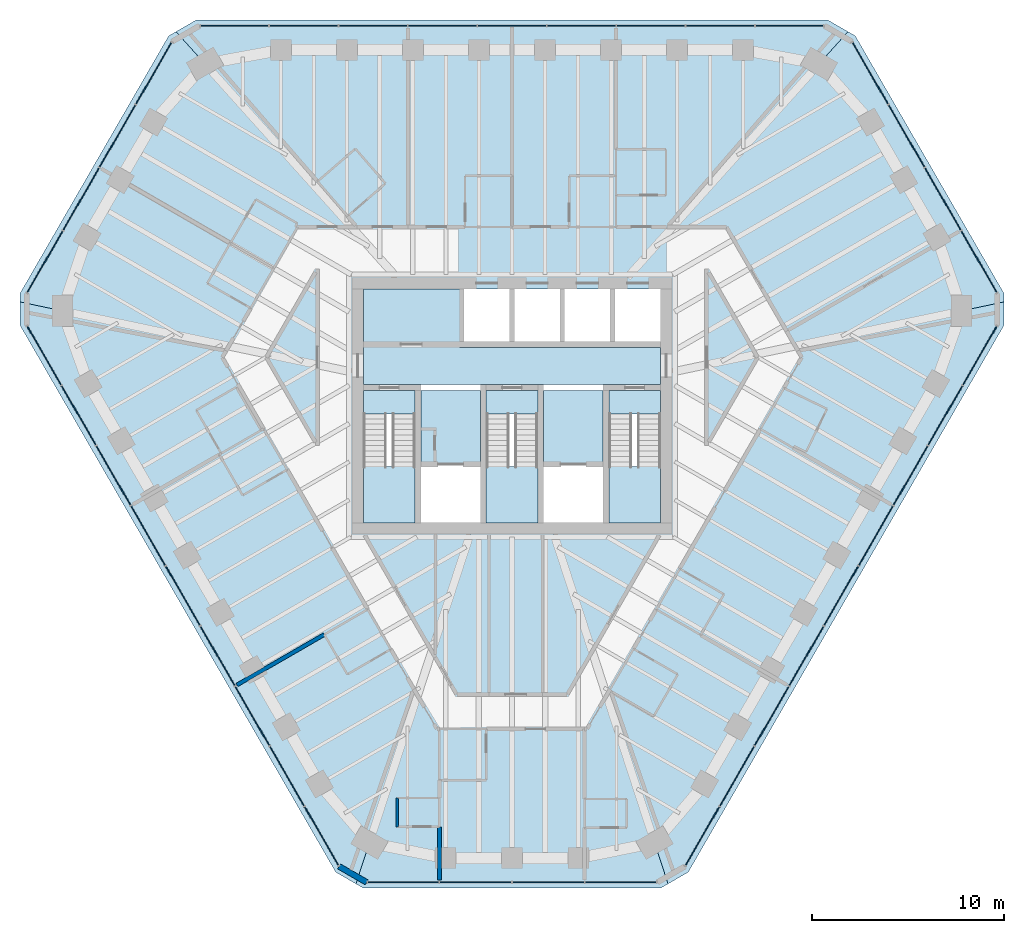
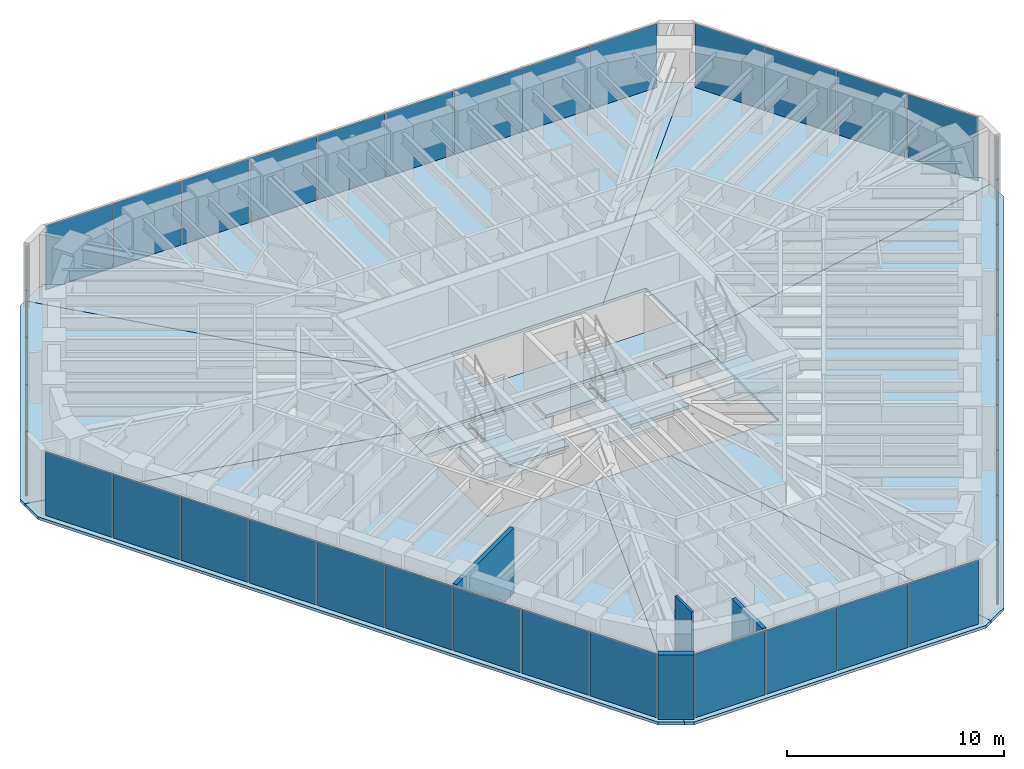
# One storey, part 8 of 14: 39 plates, 15 slabs, 4 walls, 9 elements without a shape of their own.
"""IFC4 building model written with IfcOpenShell, lengths in metres."""

from ifc_helpers import new_model, si_unit, direction, frame, frame_2d, origin, origin_2d, place, context, subcontext, project, spatial, polyline, rectangle, outline, extrude, material, layer, layer_set, type_object, element, aggregate, save


model = new_model("IFC4")

# Units and contexts
model_context = context("Model", 3, precision=1e-05, world=origin(), true_north=direction((0.0, 1.0)))
body_context = subcontext(model_context, "Body", "Model", "MODEL_VIEW")
ifc_project = project(units=[si_unit("LENGTHUNIT", "METRE"), si_unit("AREAUNIT", "SQUARE_METRE"), si_unit("VOLUMEUNIT", "CUBIC_METRE"), si_unit("PLANEANGLEUNIT", "RADIAN"), si_unit("MASSUNIT", "GRAM", prefix="KILO")], contexts=[model_context])

# Site, building, storey
site_placement = place(None, origin())
site = spatial("IfcSite", under=ifc_project, at=site_placement, CompositionType="ELEMENT")
building_placement = place(site_placement, origin())
building = spatial("IfcBuilding", under=site, at=building_placement, Name="Sandreach Pilgrim Tower", CompositionType="ELEMENT")
storey_placement = place(building_placement, frame((0.0, 0.0, 291.199951171875)))
storey = spatial("IfcBuildingStorey", under=building, at=storey_placement, Name="L73", CompositionType="ELEMENT", Elevation=291.199951171875)

# Curtain wall, plates
ifc_material_1 = material(Name="Aluminium framed curtain wall", Category="aluminium")
curtain_wall_type = type_object("IfcCurtainWallType", Name="Suite tower curtain wall", PredefinedType="NOTDEFINED", material=ifc_material_1)
curtain_wall_1_placement = place(storey_placement, origin())
curtain_wall_1 = element("IfcCurtainWall", 1, at=curtain_wall_1_placement, inside=storey, type_object=curtain_wall_type, Name="CW-4 L73 N", PredefinedType="NOTDEFINED")
ifc_material_2 = material(Name="Insulating glass unit 16.76 laminated + 24 argon + 16.76 laminated", Category="glass")
ifc_layer_1 = layer(ifc_material_2, 0.05810546875)
ifc_layer_set_1 = layer_set([ifc_layer_1], Name="CW-4 panel")
plate_type = type_object("IfcPlateType", Name="CW-4 panel", PredefinedType="CURTAIN_PANEL", material=ifc_layer_set_1)
plate_1_placement = place(storey_placement, frame((-14.472412109375, 19.826416015625, 0.0), z_axis=(0.0, 0.0, 1.0), x_axis=(1.0, 0.0, 0.0)))
plate_1 = element("IfcPlate", 2, at=plate_1_placement, type_object=plate_type, Name="CW-4 panel 1", PredefinedType="CURTAIN_PANEL", context=body_context, shape_type="SweptSolid", body=[
    extrude(rectangle(XDim=3.531982421875, YDim=0.05810546875, at=origin_2d()), origin(), (0.0, 0.0, 1.0), 3.570068359375),
])
plate_2_placement = place(storey_placement, frame((-10.865478515625, 19.826416015625, 0.0), z_axis=(0.0, 0.0, 1.0), x_axis=(1.0, 0.0, 0.0)))
plate_2 = element("IfcPlate", 3, at=plate_2_placement, type_object=plate_type, Name="CW-4 panel 2", PredefinedType="CURTAIN_PANEL", context=body_context, shape_type="SweptSolid", body=[
    extrude(rectangle(XDim=3.561767578125, YDim=0.05810546875, at=origin_2d()), origin(), (0.0, 0.0, 1.0), 3.570068359375),
])
plate_3_placement = place(storey_placement, frame((-7.24365234375, 19.826416015625, 0.0), z_axis=(0.0, 0.0, 1.0), x_axis=(1.0, 0.0, 0.0)))
plate_3 = element("IfcPlate", 4, at=plate_3_placement, type_object=plate_type, Name="CW-4 panel 3", PredefinedType="CURTAIN_PANEL", context=body_context, shape_type="SweptSolid", body=[
    extrude(rectangle(XDim=3.561767578125, YDim=0.05810546875, at=origin_2d()), origin(), (0.0, 0.0, 1.0), 3.570068359375),
])
plate_4_placement = place(storey_placement, frame((-3.621826171875, 19.826416015625, 0.0), z_axis=(0.0, 0.0, 1.0), x_axis=(1.0, 0.0, 0.0)))
plate_4 = element("IfcPlate", 5, at=plate_4_placement, type_object=plate_type, Name="CW-4 panel 4", PredefinedType="CURTAIN_PANEL", context=body_context, shape_type="SweptSolid", body=[
    extrude(rectangle(XDim=3.561767578125, YDim=0.05810546875, at=origin_2d()), origin(), (0.0, 0.0, 1.0), 3.570068359375),
])
plate_5_placement = place(storey_placement, frame((0.0, 19.826416015625, 0.0), z_axis=(0.0, 0.0, 1.0), x_axis=(1.0, 0.0, 0.0)))
plate_5 = element("IfcPlate", 6, at=plate_5_placement, type_object=plate_type, Name="CW-4 panel 5", PredefinedType="CURTAIN_PANEL", context=body_context, shape_type="SweptSolid", body=[
    extrude(rectangle(XDim=3.561767578125, YDim=0.05810546875, at=origin_2d()), origin(), (0.0, 0.0, 1.0), 3.570068359375),
])
plate_6_placement = place(storey_placement, frame((3.621826171875, 19.826416015625, 0.0), z_axis=(0.0, 0.0, 1.0), x_axis=(1.0, 0.0, 0.0)))
plate_6 = element("IfcPlate", 7, at=plate_6_placement, type_object=plate_type, Name="CW-4 panel 6", PredefinedType="CURTAIN_PANEL", context=body_context, shape_type="SweptSolid", body=[
    extrude(rectangle(XDim=3.561767578125, YDim=0.05810546875, at=origin_2d()), origin(), (0.0, 0.0, 1.0), 3.570068359375),
])
plate_7_placement = place(storey_placement, frame((7.24365234375, 19.826416015625, 0.0), z_axis=(0.0, 0.0, 1.0), x_axis=(1.0, 0.0, 0.0)))
plate_7 = element("IfcPlate", 8, at=plate_7_placement, type_object=plate_type, Name="CW-4 panel 7", PredefinedType="CURTAIN_PANEL", context=body_context, shape_type="SweptSolid", body=[
    extrude(rectangle(XDim=3.561767578125, YDim=0.05810546875, at=origin_2d()), origin(), (0.0, 0.0, 1.0), 3.570068359375),
])
plate_8_placement = place(storey_placement, frame((10.865478515625, 19.826416015625, 0.0), z_axis=(0.0, 0.0, 1.0), x_axis=(1.0, 0.0, 0.0)))
plate_8 = element("IfcPlate", 9, at=plate_8_placement, type_object=plate_type, Name="CW-4 panel 8", PredefinedType="CURTAIN_PANEL", context=body_context, shape_type="SweptSolid", body=[
    extrude(rectangle(XDim=3.561767578125, YDim=0.05810546875, at=origin_2d()), origin(), (0.0, 0.0, 1.0), 3.570068359375),
])
plate_9_placement = place(storey_placement, frame((14.472412109375, 19.826416015625, 0.0), z_axis=(0.0, 0.0, 1.0), x_axis=(1.0, 0.0, 0.0)))
plate_9 = element("IfcPlate", 10, at=plate_9_placement, type_object=plate_type, Name="CW-4 panel 9", PredefinedType="CURTAIN_PANEL", context=body_context, shape_type="SweptSolid", body=[
    extrude(rectangle(XDim=3.531982421875, YDim=0.05810546875, at=origin_2d()), origin(), (0.0, 0.0, 1.0), 3.570068359375),
])
aggregate(curtain_wall_1, [plate_1, plate_2, plate_3, plate_4, plate_5, plate_6, plate_7, plate_8, plate_9])

curtain_wall_2_placement = place(storey_placement, origin())
curtain_wall_2 = element("IfcCurtainWall", 11, at=curtain_wall_2_placement, inside=storey, type_object=curtain_wall_type, Name="CW-4 L73 NE", PredefinedType="NOTDEFINED")
plate_10_placement = place(storey_placement, frame((18.69140625, 17.341552734375, 0.0), z_axis=(0.0, 0.0, 1.0), x_axis=(0.5, -0.866025403784, 0.0)))
plate_10 = element("IfcPlate", 12, at=plate_10_placement, type_object=plate_type, Name="CW-4 panel 1", PredefinedType="CURTAIN_PANEL", context=body_context, shape_type="SweptSolid", body=[
    extrude(rectangle(XDim=3.70166015625, YDim=0.05810546875, at=origin_2d()), origin(), (0.0, 0.0, 1.0), 3.570068359375),
])
plate_11_placement = place(storey_placement, frame((20.579833984375, 14.07080078125, 0.0), z_axis=(0.0, 0.0, 1.0), x_axis=(0.5, -0.866025403784, 0.0)))
plate_11 = element("IfcPlate", 13, at=plate_11_placement, type_object=plate_type, Name="CW-4 panel 2", PredefinedType="CURTAIN_PANEL", context=body_context, shape_type="SweptSolid", body=[
    extrude(rectangle(XDim=3.731689453125, YDim=0.05810546875, at=origin_2d()), origin(), (0.0, 0.0, 1.0), 3.570068359375),
])
plate_12_placement = place(storey_placement, frame((22.4755859375, 10.787109375, 0.0), z_axis=(0.0, 0.0, 1.0), x_axis=(0.5, -0.866025403784, 0.0)))
plate_12 = element("IfcPlate", 14, at=plate_12_placement, type_object=plate_type, Name="CW-4 panel 3", PredefinedType="CURTAIN_PANEL", context=body_context, shape_type="SweptSolid", body=[
    extrude(rectangle(XDim=3.731689453125, YDim=0.05810546875, at=origin_2d()), origin(), (0.0, 0.0, 1.0), 3.570068359375),
])
plate_13_placement = place(storey_placement, frame((24.364013671875, 7.516357421875, 0.0), z_axis=(0.0, 0.0, 1.0), x_axis=(0.5, -0.866025403784, 0.0)))
plate_13 = element("IfcPlate", 15, at=plate_13_placement, type_object=plate_type, Name="CW-4 panel 4", PredefinedType="CURTAIN_PANEL", context=body_context, shape_type="SweptSolid", body=[
    extrude(rectangle(XDim=3.70166015625, YDim=0.05810546875, at=origin_2d()), origin(), (0.0, 0.0, 1.0), 3.570068359375),
])
aggregate(curtain_wall_2, [plate_10, plate_11, plate_12, plate_13])

curtain_wall_3_placement = place(storey_placement, origin())
curtain_wall_3 = element("IfcCurtainWall", 16, at=curtain_wall_3_placement, inside=storey, type_object=curtain_wall_type, Name="CW-4 L73 SE", PredefinedType="NOTDEFINED")
plate_14_placement = place(storey_placement, frame((24.406494140625, 2.620361328125, 0.0), z_axis=(0.0, 0.0, 1.0), x_axis=(-0.5, -0.866025403784, 0.0)))
plate_14 = element("IfcPlate", 17, at=plate_14_placement, type_object=plate_type, Name="CW-4 panel 1", PredefinedType="CURTAIN_PANEL", context=body_context, shape_type="SweptSolid", body=[
    extrude(rectangle(XDim=3.531982421875, YDim=0.05810546875, at=origin_2d()), origin(), (0.0, 0.0, 1.0), 3.570068359375),
])
plate_15_placement = place(storey_placement, frame((22.60302734375, -0.50341796875, 0.0), z_axis=(0.0, 0.0, 1.0), x_axis=(-0.5, -0.866025403784, 0.0)))
plate_15 = element("IfcPlate", 18, at=plate_15_placement, type_object=plate_type, Name="CW-4 panel 2", PredefinedType="CURTAIN_PANEL", context=body_context, shape_type="SweptSolid", body=[
    extrude(rectangle(XDim=3.561767578125, YDim=0.05810546875, at=origin_2d()), origin(), (0.0, 0.0, 1.0), 3.570068359375),
])
plate_16_placement = place(storey_placement, frame((20.7919921875, -3.639892578125, 0.0), z_axis=(0.0, 0.0, 1.0), x_axis=(-0.5, -0.866025403784, 0.0)))
plate_16 = element("IfcPlate", 19, at=plate_16_placement, type_object=plate_type, Name="CW-4 panel 3", PredefinedType="CURTAIN_PANEL", context=body_context, shape_type="SweptSolid", body=[
    extrude(rectangle(XDim=3.561767578125, YDim=0.05810546875, at=origin_2d()), origin(), (0.0, 0.0, 1.0), 3.570068359375),
])
plate_17_placement = place(storey_placement, frame((18.981201171875, -6.776611328125, 0.0), z_axis=(0.0, 0.0, 1.0), x_axis=(-0.5, -0.866025403784, 0.0)))
plate_17 = element("IfcPlate", 20, at=plate_17_placement, type_object=plate_type, Name="CW-4 panel 4", PredefinedType="CURTAIN_PANEL", context=body_context, shape_type="SweptSolid", body=[
    extrude(rectangle(XDim=3.561767578125, YDim=0.05810546875, at=origin_2d()), origin(), (0.0, 0.0, 1.0), 3.570068359375),
])
plate_18_placement = place(storey_placement, frame((17.170166015625, -9.913330078125, 0.0), z_axis=(0.0, 0.0, 1.0), x_axis=(-0.5, -0.866025403784, 0.0)))
plate_18 = element("IfcPlate", 21, at=plate_18_placement, type_object=plate_type, Name="CW-4 panel 5", PredefinedType="CURTAIN_PANEL", context=body_context, shape_type="SweptSolid", body=[
    extrude(rectangle(XDim=3.561767578125, YDim=0.05810546875, at=origin_2d()), origin(), (0.0, 0.0, 1.0), 3.570068359375),
])
plate_19_placement = place(storey_placement, frame((15.359375, -13.0498046875, 0.0), z_axis=(0.0, 0.0, 1.0), x_axis=(-0.5, -0.866025403784, 0.0)))
plate_19 = element("IfcPlate", 22, at=plate_19_placement, type_object=plate_type, Name="CW-4 panel 6", PredefinedType="CURTAIN_PANEL", context=body_context, shape_type="SweptSolid", body=[
    extrude(rectangle(XDim=3.561767578125, YDim=0.05810546875, at=origin_2d()), origin(), (0.0, 0.0, 1.0), 3.570068359375),
])
plate_20_placement = place(storey_placement, frame((13.54833984375, -16.1865234375, 0.0), z_axis=(0.0, 0.0, 1.0), x_axis=(-0.5, -0.866025403784, 0.0)))
plate_20 = element("IfcPlate", 23, at=plate_20_placement, type_object=plate_type, Name="CW-4 panel 7", PredefinedType="CURTAIN_PANEL", context=body_context, shape_type="SweptSolid", body=[
    extrude(rectangle(XDim=3.561767578125, YDim=0.05810546875, at=origin_2d()), origin(), (0.0, 0.0, 1.0), 3.570068359375),
])
plate_21_placement = place(storey_placement, frame((11.7373046875, -19.322998046875, 0.0), z_axis=(0.0, 0.0, 1.0), x_axis=(-0.5, -0.866025403784, 0.0)))
plate_21 = element("IfcPlate", 24, at=plate_21_placement, type_object=plate_type, Name="CW-4 panel 8", PredefinedType="CURTAIN_PANEL", context=body_context, shape_type="SweptSolid", body=[
    extrude(rectangle(XDim=3.561767578125, YDim=0.05810546875, at=origin_2d()), origin(), (0.0, 0.0, 1.0), 3.570068359375),
])
plate_22_placement = place(storey_placement, frame((9.93408203125, -22.44677734375, 0.0), z_axis=(0.0, 0.0, 1.0), x_axis=(-0.5, -0.866025403784, 0.0)))
plate_22 = element("IfcPlate", 25, at=plate_22_placement, type_object=plate_type, Name="CW-4 panel 9", PredefinedType="CURTAIN_PANEL", context=body_context, shape_type="SweptSolid", body=[
    extrude(rectangle(XDim=3.531982421875, YDim=0.05810546875, at=origin_2d()), origin(), (0.0, 0.0, 1.0), 3.570068359375),
])
aggregate(curtain_wall_3, [plate_14, plate_15, plate_16, plate_17, plate_18, plate_19, plate_20, plate_21, plate_22])

curtain_wall_4_placement = place(storey_placement, origin())
curtain_wall_4 = element("IfcCurtainWall", 26, at=curtain_wall_4_placement, inside=storey, type_object=curtain_wall_type, Name="CW-4 L73 S", PredefinedType="NOTDEFINED")
plate_23_placement = place(storey_placement, frame((5.672607421875, -24.858154296875, 0.0), z_axis=(0.0, 0.0, 1.0), x_axis=(-1.0, 0.0, 0.0)))
plate_23 = element("IfcPlate", 27, at=plate_23_placement, type_object=plate_type, Name="CW-4 panel 1", PredefinedType="CURTAIN_PANEL", context=body_context, shape_type="SweptSolid", body=[
    extrude(rectangle(XDim=3.70166015625, YDim=0.05810546875, at=origin_2d()), origin(), (0.0, 0.0, 1.0), 3.570068359375),
])
plate_24_placement = place(storey_placement, frame((1.895751953125, -24.858154296875, 0.0), z_axis=(0.0, 0.0, 1.0), x_axis=(-1.0, 0.0, 0.0)))
plate_24 = element("IfcPlate", 28, at=plate_24_placement, type_object=plate_type, Name="CW-4 panel 2", PredefinedType="CURTAIN_PANEL", context=body_context, shape_type="SweptSolid", body=[
    extrude(rectangle(XDim=3.731689453125, YDim=0.05810546875, at=origin_2d()), origin(), (0.0, 0.0, 1.0), 3.570068359375),
])
plate_25_placement = place(storey_placement, frame((-1.895751953125, -24.858154296875, 0.0), z_axis=(0.0, 0.0, 1.0), x_axis=(-1.0, 0.0, 0.0)))
plate_25 = element("IfcPlate", 29, at=plate_25_placement, type_object=plate_type, Name="CW-4 panel 3", PredefinedType="CURTAIN_PANEL", context=body_context, shape_type="SweptSolid", body=[
    extrude(rectangle(XDim=3.731689453125, YDim=0.05810546875, at=origin_2d()), origin(), (0.0, 0.0, 1.0), 3.570068359375),
])
plate_26_placement = place(storey_placement, frame((-5.672607421875, -24.858154296875, 0.0), z_axis=(0.0, 0.0, 1.0), x_axis=(-1.0, 0.0, 0.0)))
plate_26 = element("IfcPlate", 30, at=plate_26_placement, type_object=plate_type, Name="CW-4 panel 4", PredefinedType="CURTAIN_PANEL", context=body_context, shape_type="SweptSolid", body=[
    extrude(rectangle(XDim=3.70166015625, YDim=0.05810546875, at=origin_2d()), origin(), (0.0, 0.0, 1.0), 3.570068359375),
])
aggregate(curtain_wall_4, [plate_23, plate_24, plate_25, plate_26])

curtain_wall_5_placement = place(storey_placement, origin())
curtain_wall_5 = element("IfcCurtainWall", 31, at=curtain_wall_5_placement, inside=storey, type_object=curtain_wall_type, Name="CW-4 L73 SW", PredefinedType="NOTDEFINED")
plate_27_placement = place(storey_placement, frame((-9.93408203125, -22.44677734375, 0.0), z_axis=(0.0, 0.0, 1.0), x_axis=(-0.5, 0.866025403784, 0.0)))
plate_27 = element("IfcPlate", 32, at=plate_27_placement, type_object=plate_type, Name="CW-4 panel 1", PredefinedType="CURTAIN_PANEL", context=body_context, shape_type="SweptSolid", body=[
    extrude(rectangle(XDim=3.531982421875, YDim=0.05810546875, at=origin_2d()), origin(), (0.0, 0.0, 1.0), 3.570068359375),
])
plate_28_placement = place(storey_placement, frame((-11.7373046875, -19.322998046875, 0.0), z_axis=(0.0, 0.0, 1.0), x_axis=(-0.5, 0.866025403784, 0.0)))
plate_28 = element("IfcPlate", 33, at=plate_28_placement, type_object=plate_type, Name="CW-4 panel 2", PredefinedType="CURTAIN_PANEL", context=body_context, shape_type="SweptSolid", body=[
    extrude(rectangle(XDim=3.561767578125, YDim=0.05810546875, at=origin_2d()), origin(), (0.0, 0.0, 1.0), 3.570068359375),
])
plate_29_placement = place(storey_placement, frame((-13.54833984375, -16.1865234375, 0.0), z_axis=(0.0, 0.0, 1.0), x_axis=(-0.5, 0.866025403784, 0.0)))
plate_29 = element("IfcPlate", 34, at=plate_29_placement, type_object=plate_type, Name="CW-4 panel 3", PredefinedType="CURTAIN_PANEL", context=body_context, shape_type="SweptSolid", body=[
    extrude(rectangle(XDim=3.561767578125, YDim=0.05810546875, at=origin_2d()), origin(), (0.0, 0.0, 1.0), 3.570068359375),
])
plate_30_placement = place(storey_placement, frame((-15.359375, -13.0498046875, 0.0), z_axis=(0.0, 0.0, 1.0), x_axis=(-0.5, 0.866025403784, 0.0)))
plate_30 = element("IfcPlate", 35, at=plate_30_placement, type_object=plate_type, Name="CW-4 panel 4", PredefinedType="CURTAIN_PANEL", context=body_context, shape_type="SweptSolid", body=[
    extrude(rectangle(XDim=3.561767578125, YDim=0.05810546875, at=origin_2d()), origin(), (0.0, 0.0, 1.0), 3.570068359375),
])
plate_31_placement = place(storey_placement, frame((-17.170166015625, -9.913330078125, 0.0), z_axis=(0.0, 0.0, 1.0), x_axis=(-0.5, 0.866025403784, 0.0)))
plate_31 = element("IfcPlate", 36, at=plate_31_placement, type_object=plate_type, Name="CW-4 panel 5", PredefinedType="CURTAIN_PANEL", context=body_context, shape_type="SweptSolid", body=[
    extrude(rectangle(XDim=3.561767578125, YDim=0.05810546875, at=origin_2d()), origin(), (0.0, 0.0, 1.0), 3.570068359375),
])
plate_32_placement = place(storey_placement, frame((-18.981201171875, -6.776611328125, 0.0), z_axis=(0.0, 0.0, 1.0), x_axis=(-0.5, 0.866025403784, 0.0)))
plate_32 = element("IfcPlate", 37, at=plate_32_placement, type_object=plate_type, Name="CW-4 panel 6", PredefinedType="CURTAIN_PANEL", context=body_context, shape_type="SweptSolid", body=[
    extrude(rectangle(XDim=3.561767578125, YDim=0.05810546875, at=origin_2d()), origin(), (0.0, 0.0, 1.0), 3.570068359375),
])
plate_33_placement = place(storey_placement, frame((-20.7919921875, -3.639892578125, 0.0), z_axis=(0.0, 0.0, 1.0), x_axis=(-0.5, 0.866025403784, 0.0)))
plate_33 = element("IfcPlate", 38, at=plate_33_placement, type_object=plate_type, Name="CW-4 panel 7", PredefinedType="CURTAIN_PANEL", context=body_context, shape_type="SweptSolid", body=[
    extrude(rectangle(XDim=3.561767578125, YDim=0.05810546875, at=origin_2d()), origin(), (0.0, 0.0, 1.0), 3.570068359375),
])
plate_34_placement = place(storey_placement, frame((-22.60302734375, -0.50341796875, 0.0), z_axis=(0.0, 0.0, 1.0), x_axis=(-0.5, 0.866025403784, 0.0)))
plate_34 = element("IfcPlate", 39, at=plate_34_placement, type_object=plate_type, Name="CW-4 panel 8", PredefinedType="CURTAIN_PANEL", context=body_context, shape_type="SweptSolid", body=[
    extrude(rectangle(XDim=3.561767578125, YDim=0.05810546875, at=origin_2d()), origin(), (0.0, 0.0, 1.0), 3.570068359375),
])
plate_35_placement = place(storey_placement, frame((-24.406494140625, 2.620361328125, 0.0), z_axis=(0.0, 0.0, 1.0), x_axis=(-0.5, 0.866025403784, 0.0)))
plate_35 = element("IfcPlate", 40, at=plate_35_placement, type_object=plate_type, Name="CW-4 panel 9", PredefinedType="CURTAIN_PANEL", context=body_context, shape_type="SweptSolid", body=[
    extrude(rectangle(XDim=3.531982421875, YDim=0.05810546875, at=origin_2d()), origin(), (0.0, 0.0, 1.0), 3.570068359375),
])
aggregate(curtain_wall_5, [plate_27, plate_28, plate_29, plate_30, plate_31, plate_32, plate_33, plate_34, plate_35])

curtain_wall_6_placement = place(storey_placement, origin())
curtain_wall_6 = element("IfcCurtainWall", 41, at=curtain_wall_6_placement, inside=storey, type_object=curtain_wall_type, Name="CW-4 L73 NW", PredefinedType="NOTDEFINED")
plate_36_placement = place(storey_placement, frame((-24.364013671875, 7.516357421875, 0.0), z_axis=(0.0, 0.0, 1.0), x_axis=(0.5, 0.866025403784, 0.0)))
plate_36 = element("IfcPlate", 42, at=plate_36_placement, type_object=plate_type, Name="CW-4 panel 1", PredefinedType="CURTAIN_PANEL", context=body_context, shape_type="SweptSolid", body=[
    extrude(rectangle(XDim=3.70166015625, YDim=0.05810546875, at=origin_2d()), origin(), (0.0, 0.0, 1.0), 3.570068359375),
])
plate_37_placement = place(storey_placement, frame((-22.4755859375, 10.787109375, 0.0), z_axis=(0.0, 0.0, 1.0), x_axis=(0.5, 0.866025403784, 0.0)))
plate_37 = element("IfcPlate", 43, at=plate_37_placement, type_object=plate_type, Name="CW-4 panel 2", PredefinedType="CURTAIN_PANEL", context=body_context, shape_type="SweptSolid", body=[
    extrude(rectangle(XDim=3.731689453125, YDim=0.05810546875, at=origin_2d()), origin(), (0.0, 0.0, 1.0), 3.570068359375),
])
plate_38_placement = place(storey_placement, frame((-20.579833984375, 14.07080078125, 0.0), z_axis=(0.0, 0.0, 1.0), x_axis=(0.5, 0.866025403784, 0.0)))
plate_38 = element("IfcPlate", 44, at=plate_38_placement, type_object=plate_type, Name="CW-4 panel 3", PredefinedType="CURTAIN_PANEL", context=body_context, shape_type="SweptSolid", body=[
    extrude(rectangle(XDim=3.731689453125, YDim=0.05810546875, at=origin_2d()), origin(), (0.0, 0.0, 1.0), 3.570068359375),
])
plate_39_placement = place(storey_placement, frame((-18.69140625, 17.341552734375, 0.0), z_axis=(0.0, 0.0, 1.0), x_axis=(0.5, 0.866025403784, 0.0)))
plate_39 = element("IfcPlate", 45, at=plate_39_placement, type_object=plate_type, Name="CW-4 panel 4", PredefinedType="CURTAIN_PANEL", context=body_context, shape_type="SweptSolid", body=[
    extrude(rectangle(XDim=3.70166015625, YDim=0.05810546875, at=origin_2d()), origin(), (0.0, 0.0, 1.0), 3.570068359375),
])
aggregate(curtain_wall_6, [plate_36, plate_37, plate_38, plate_39])

# Slabs
ifc_material_3 = material(Name="Concrete 8000 psi", Category="concrete")
ifc_layer_2 = layer(ifc_material_3, 0.159912109375)
ifc_layer_set_2 = layer_set([ifc_layer_2], Name="Composite floor slab 160")
slab_type_1 = type_object("IfcSlabType", Name="Composite floor slab 160", PredefinedType="FLOOR", material=ifc_layer_set_2)
slab_1_placement = place(storey_placement, frame((0.0, 0.0, -0.159912109375)))
element("IfcSlab", 46, at=slab_1_placement, inside=storey, type_object=slab_type_1, Name="Floor slab L73 N sector", PredefinedType="FLOOR", context=body_context, shape_type="SweptSolid", body=[
    extrude(outline(polyline([(-16.4716796875, 20.12646484375), (16.4716796875, 20.12646484375), (17.52587890625, 19.517822265625), (5.477294921875, 6.10009765625), (-5.477294921875, 6.10009765625), (-17.52587890625, 19.517822265625), (-16.4716796875, 20.12646484375)])), origin(), (0.0, 0.0, 1.0), 0.159912109375),
])
slab_2_placement = place(storey_placement, frame((0.0, 0.0, -0.159912109375)))
element("IfcSlab", 47, at=slab_2_placement, inside=storey, type_object=slab_type_1, Name="Floor slab L73 NE sector", PredefinedType="FLOOR", context=body_context, shape_type="SweptSolid", body=[
    extrude(outline(polyline([(17.9091796875, 19.29638671875), (25.665771484375, 5.861572265625), (25.665771484375, 5.4189453125), (7.75, 1.63623046875), (7.75, 6.10009765625), (5.477294921875, 6.10009765625), (17.52587890625, 19.517822265625), (17.9091796875, 19.29638671875)])), origin(), (0.0, 0.0, 1.0), 0.159912109375),
])
slab_3_placement = place(storey_placement, frame((0.0, 0.0, -0.159912109375)))
element("IfcSlab", 48, at=slab_3_placement, inside=storey, type_object=slab_type_1, Name="Floor slab L73 SE sector", PredefinedType="FLOOR", context=body_context, shape_type="SweptSolid", body=[
    extrude(outline(polyline([(25.665771484375, 4.20166015625), (9.194091796875, -24.327880859375), (8.139892578125, -24.936767578125), (1.9912109375, -6.10009765625), (7.75, -6.10009765625), (7.75, 1.63623046875), (25.665771484375, 5.4189453125), (25.665771484375, 4.20166015625)])), origin(), (0.0, 0.0, 1.0), 0.159912109375),
])
slab_4_placement = place(storey_placement, frame((0.0, 0.0, -0.159912109375)))
element("IfcSlab", 49, at=slab_4_placement, inside=storey, type_object=slab_type_1, Name="Floor slab L73 S sector", PredefinedType="FLOOR", context=body_context, shape_type="SweptSolid", body=[
    extrude(outline(polyline([(7.756591796875, -25.157958984375), (-7.756591796875, -25.157958984375), (-8.139892578125, -24.936767578125), (-1.9912109375, -6.10009765625), (1.9912109375, -6.10009765625), (8.139892578125, -24.936767578125), (7.756591796875, -25.157958984375)])), origin(), (0.0, 0.0, 1.0), 0.159912109375),
])
slab_5_placement = place(storey_placement, frame((0.0, 0.0, -0.159912109375)))
element("IfcSlab", 50, at=slab_5_placement, inside=storey, type_object=slab_type_1, Name="Floor slab L73 SW sector", PredefinedType="FLOOR", context=body_context, shape_type="SweptSolid", body=[
    extrude(outline(polyline([(-9.194091796875, -24.327880859375), (-25.665771484375, 4.20166015625), (-25.665771484375, 5.4189453125), (-7.75, 1.63623046875), (-7.75, -6.10009765625), (-1.9912109375, -6.10009765625), (-8.139892578125, -24.936767578125), (-9.194091796875, -24.327880859375)])), origin(), (0.0, 0.0, 1.0), 0.159912109375),
])
slab_6_placement = place(storey_placement, frame((0.0, 0.0, -0.159912109375)))
element("IfcSlab", 51, at=slab_6_placement, inside=storey, type_object=slab_type_1, Name="Floor slab L73 NW sector", PredefinedType="FLOOR", context=body_context, shape_type="SweptSolid", body=[
    extrude(outline(polyline([(-25.665771484375, 5.861572265625), (-17.9091796875, 19.29638671875), (-17.52587890625, 19.517822265625), (-5.477294921875, 6.10009765625), (-7.75, 6.10009765625), (-7.75, 1.63623046875), (-25.665771484375, 5.4189453125), (-25.665771484375, 5.861572265625)])), origin(), (0.0, 0.0, 1.0), 0.159912109375),
])
slab_7_placement = place(storey_placement, frame((0.0, 0.0, -0.159912109375)))
element("IfcSlab", 52, at=slab_7_placement, inside=storey, type_object=slab_type_1, Name="Core floor slab L73", PredefinedType="FLOOR", context=body_context, shape_type="SweptSolid", body=[
    extrude(outline(polyline([(-2.75, 3.35009765625), (-2.75, 3.050048828125), (-0.125, 3.050048828125), (0.125, 3.050048828125), (2.5, 3.050048828125), (2.75, 3.050048828125), (5.125, 3.050048828125), (5.375, 3.050048828125), (7.75, 3.050048828125), (7.75, 1.10009765625), (5.050048828125, 1.10009765625), (4.75, 1.10009765625), (1.64990234375, 1.10009765625), (1.35009765625, 1.10009765625), (-1.35009765625, 1.10009765625), (-1.64990234375, 1.10009765625), (-4.75, 1.10009765625), (-5.050048828125, 1.10009765625), (-7.75, 1.10009765625), (-7.75, 6.10009765625), (-2.64990234375, 6.10009765625), (-2.64990234375, 3.35009765625), (-2.75, 3.35009765625)])), origin(), (0.0, 0.0, 1.0), 0.159912109375),
])
slab_8_placement = place(storey_placement, frame((0.0, 0.0, -0.159912109375)))
element("IfcSlab", 53, at=slab_8_placement, inside=storey, type_object=slab_type_1, Name="Core floor slab L73 2", PredefinedType="FLOOR", context=body_context, shape_type="SweptSolid", body=[
    extrude(outline(polyline([(-1.64990234375, -3.050048828125), (-4.75, -3.050048828125), (-4.75, 0.800048828125), (-1.64990234375, 0.800048828125), (-1.64990234375, -3.050048828125)])), origin(), (0.0, 0.0, 1.0), 0.159912109375),
])
slab_9_placement = place(storey_placement, frame((0.0, 0.0, -0.159912109375)))
element("IfcSlab", 54, at=slab_9_placement, inside=storey, type_object=slab_type_1, Name="Core floor slab L73 3", PredefinedType="FLOOR", context=body_context, shape_type="SweptSolid", body=[
    extrude(outline(polyline([(4.75, -3.050048828125), (1.64990234375, -3.050048828125), (1.64990234375, 0.800048828125), (4.75, 0.800048828125), (4.75, -3.050048828125)])), origin(), (0.0, 0.0, 1.0), 0.159912109375),
])

# Stair, slabs
ifc_material_4 = material(Name="Concrete 8000 psi", Category="concrete")
stair_type = type_object("IfcStairType", Name="Core exit stair", PredefinedType="HALF_TURN_STAIR", material=ifc_material_4)
stair_1_placement = place(storey_placement, origin())
stair_1 = element("IfcStair", 55, at=stair_1_placement, inside=storey, type_object=stair_type, Name="Exit stair ST1 L73", PredefinedType="HALF_TURN_STAIR")
ifc_material_5 = material(Name="Concrete 8000 psi", Category="concrete")
ifc_layer_3 = layer(ifc_material_5, 0.199951171875)
ifc_layer_set_3 = layer_set([ifc_layer_3], Name="Core stair landing 200")
slab_type_2 = type_object("IfcSlabType", Name="Core stair landing 200", PredefinedType="LANDING", material=ifc_layer_set_3)
slab_10_placement = place(storey_placement, frame((0.0, 0.0, -0.199951171875)))
slab_10 = element("IfcSlab", 56, at=slab_10_placement, type_object=slab_type_2, Name="ST1 landing 1", PredefinedType="LANDING", context=body_context, shape_type="SweptSolid", body=[
    extrude(outline(polyline([(-7.75, -0.425048828125), (-5.050048828125, -0.425048828125), (-5.050048828125, 0.800048828125), (-7.75, 0.800048828125), (-7.75, -0.425048828125)])), origin(), (0.0, 0.0, 1.0), 0.199951171875),
])
slab_11_placement = place(storey_placement, frame((0.0, 0.0, 1.699951171875)))
slab_11 = element("IfcSlab", 57, at=slab_11_placement, type_object=slab_type_2, Name="ST1 landing 2", PredefinedType="LANDING", context=body_context, shape_type="SweptSolid", body=[
    extrude(outline(polyline([(-7.75, -6.10009765625), (-5.050048828125, -6.10009765625), (-5.050048828125, -3.175048828125), (-7.75, -3.175048828125), (-7.75, -6.10009765625)])), origin(), (0.0, 0.0, 1.0), 0.2001953125),
])
aggregate(stair_1, [slab_10, slab_11])

stair_2_placement = place(storey_placement, origin())
stair_2 = element("IfcStair", 58, at=stair_2_placement, inside=storey, type_object=stair_type, Name="Exit stair ST3 L73", PredefinedType="HALF_TURN_STAIR")
slab_12_placement = place(storey_placement, frame((0.0, 0.0, -0.199951171875)))
slab_12 = element("IfcSlab", 59, at=slab_12_placement, type_object=slab_type_2, Name="ST3 landing 1", PredefinedType="LANDING", context=body_context, shape_type="SweptSolid", body=[
    extrude(outline(polyline([(-1.35009765625, -0.425048828125), (1.35009765625, -0.425048828125), (1.35009765625, 0.800048828125), (-1.35009765625, 0.800048828125), (-1.35009765625, -0.425048828125)])), origin(), (0.0, 0.0, 1.0), 0.199951171875),
])
slab_13_placement = place(storey_placement, frame((0.0, 0.0, 1.699951171875)))
slab_13 = element("IfcSlab", 60, at=slab_13_placement, type_object=slab_type_2, Name="ST3 landing 2", PredefinedType="LANDING", context=body_context, shape_type="SweptSolid", body=[
    extrude(outline(polyline([(-1.35009765625, -6.10009765625), (1.35009765625, -6.10009765625), (1.35009765625, -3.175048828125), (-1.35009765625, -3.175048828125), (-1.35009765625, -6.10009765625)])), origin(), (0.0, 0.0, 1.0), 0.2001953125),
])
aggregate(stair_2, [slab_12, slab_13])

stair_3_placement = place(storey_placement, origin())
stair_3 = element("IfcStair", 61, at=stair_3_placement, inside=storey, type_object=stair_type, Name="Exit stair ST2 L73", PredefinedType="HALF_TURN_STAIR")
slab_14_placement = place(storey_placement, frame((0.0, 0.0, -0.199951171875)))
slab_14 = element("IfcSlab", 62, at=slab_14_placement, type_object=slab_type_2, Name="ST2 landing 1", PredefinedType="LANDING", context=body_context, shape_type="SweptSolid", body=[
    extrude(outline(polyline([(5.050048828125, -0.425048828125), (7.75, -0.425048828125), (7.75, 0.800048828125), (5.050048828125, 0.800048828125), (5.050048828125, -0.425048828125)])), origin(), (0.0, 0.0, 1.0), 0.199951171875),
])
slab_15_placement = place(storey_placement, frame((0.0, 0.0, 1.699951171875)))
slab_15 = element("IfcSlab", 63, at=slab_15_placement, type_object=slab_type_2, Name="ST2 landing 2", PredefinedType="LANDING", context=body_context, shape_type="SweptSolid", body=[
    extrude(outline(polyline([(5.050048828125, -6.10009765625), (7.75, -6.10009765625), (7.75, -3.175048828125), (5.050048828125, -3.175048828125), (5.050048828125, -6.10009765625)])), origin(), (0.0, 0.0, 1.0), 0.2001953125),
])
aggregate(stair_3, [slab_14, slab_15])

# Walls
ifc_material_6 = material(Name="Moisture-resistant gypsum board on steel studs", Category="steel")
ifc_layer_4 = layer(ifc_material_6, 0.1201171875)
ifc_layer_set_4 = layer_set([ifc_layer_4], Name="Bathroom partition 120")
wall_type_1 = type_object("IfcWallType", Name="Bathroom partition 120", PredefinedType="PARTITIONING", material=ifc_layer_set_4)
wall_1_placement = place(storey_placement, frame((-5.989990234375, -20.4599609375, 0.0), z_axis=(0.0, 0.0, 1.0), x_axis=(0.0, -1.0, 0.0)))
element("IfcWall", 64, at=wall_1_placement, inside=storey, type_object=wall_type_1, Name="Bathroom partition L73-043", PredefinedType="PARTITIONING", context=body_context, shape_type="SweptSolid", body=[
    extrude(rectangle(XDim=1.5, YDim=0.1201171875, at=frame_2d((0.75, 0.0))), origin(), (0.0, 0.0, 1.0), 3.64013671875),
])
ifc_material_7 = material(Name="Double steel stud acoustic wall, gypsum board", Category="steel")
ifc_layer_5 = layer(ifc_material_7, 0.199951171875)
ifc_layer_set_5 = layer_set([ifc_layer_5], Name="Party wall 200")
wall_type_2 = type_object("IfcWallType", Name="Party wall 200", PredefinedType="PARTITIONING", material=ifc_layer_set_5)
wall_2_placement = place(storey_placement, frame((-14.34619140625, -14.56005859375, 0.0), z_axis=(0.0, 0.0, 1.0), x_axis=(0.8660557602, 0.49994741746, 0.0)))
element("IfcWall", 65, at=wall_2_placement, inside=storey, type_object=wall_type_2, Name="Party wall L73-016", PredefinedType="PARTITIONING", context=body_context, shape_type="SweptSolid", body=[
    extrude(rectangle(XDim=5.2607421875, YDim=0.199951171875, at=frame_2d((2.63037109375, 0.0))), origin(), (0.0, 0.0, 1.0), 3.64013671875),
])
wall_3_placement = place(storey_placement, frame((-3.7900390625, -24.739990234375, 0.0), z_axis=(0.0, 0.0, 1.0), x_axis=(0.0, 1.0, 0.0)))
element("IfcWall", 66, at=wall_3_placement, inside=storey, type_object=wall_type_2, Name="Party wall L73-051", PredefinedType="PARTITIONING", context=body_context, shape_type="SweptSolid", body=[
    extrude(rectangle(XDim=2.780029296875, YDim=0.199951171875, at=frame_2d((1.39013671875, 0.0))), origin(), (0.0, 0.0, 1.0), 3.64013671875),
])
ifc_material_8 = material(Name="Terracotta rainscreen on concrete", Category="masonry")
ifc_layer_6 = layer(ifc_material_8, 0.300048828125)
ifc_layer_set_6 = layer_set([ifc_layer_6], Name="Terracotta chamfer pier")
wall_type_3 = type_object("IfcWallType", Name="Terracotta chamfer pier", PredefinedType="SOLIDWALL", material=ifc_layer_set_6)
wall_4_placement = place(storey_placement, frame((-7.58349609375, -24.858154296875, 0.0), z_axis=(0.0, 0.0, 1.0), x_axis=(-0.865989634427, 0.500061949227, 0.0)))
element("IfcWall", 67, at=wall_4_placement, inside=storey, type_object=wall_type_3, Name="Chamfer pier L73 S", PredefinedType="SOLIDWALL", context=body_context, shape_type="SweptSolid", body=[
    extrude(rectangle(XDim=1.659912109375, YDim=0.300048828125, at=frame_2d((0.830078125, 0.0))), origin(), (0.0, 0.0, 1.0), 3.64013671875),
])

save(model, "model.ifc")
